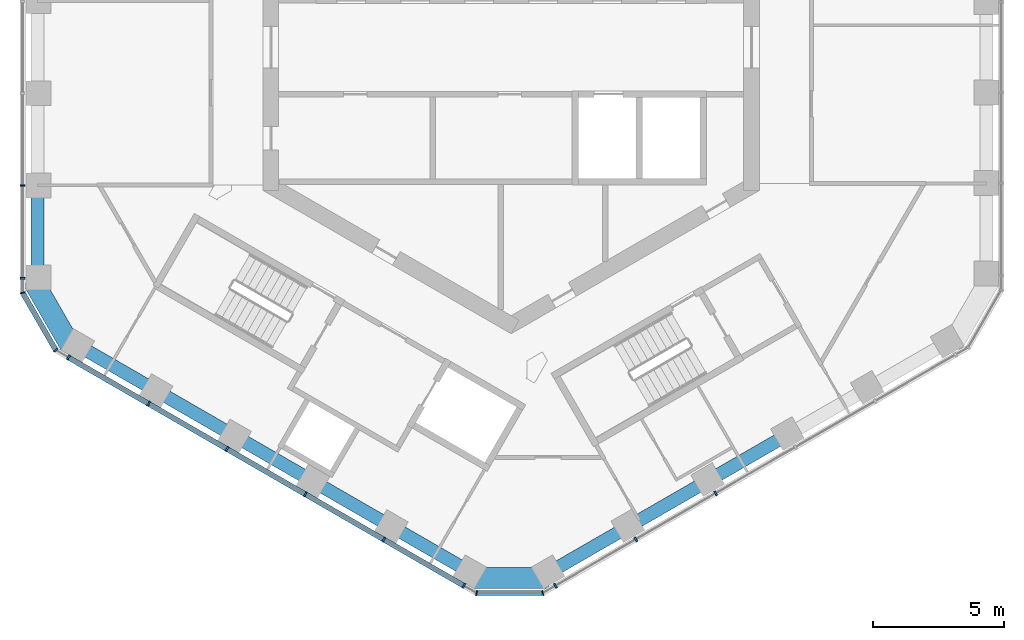
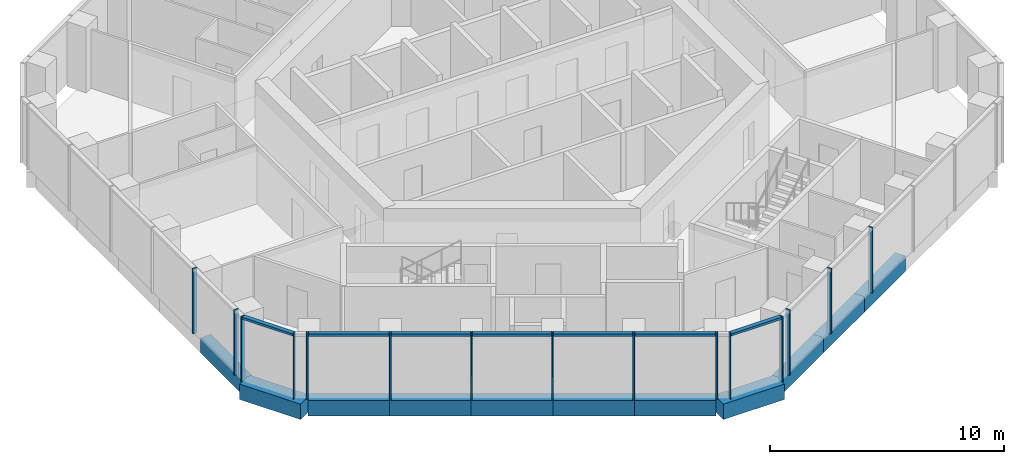
# One storey, part 2 of 19: 18 members, 11 beams, 5 elements without a shape of their own.
"""IFC4 building model written with IfcOpenShell, lengths in metres."""

from ifc_helpers import new_model, si_unit, direction, frame, origin, origin_2d, place, context, subcontext, project, spatial, rectangle, extrude, material, layer, layer_set, material_profile, profile_set, type_object, element, aggregate, save


model = new_model("IFC4")

# Units and contexts
model_context = context("Model", 3, precision=1e-05, world=origin(), true_north=direction((0.0, 1.0)))
body_context = subcontext(model_context, "Body", "Model", "MODEL_VIEW")
ifc_project = project(units=[si_unit("LENGTHUNIT", "METRE"), si_unit("AREAUNIT", "SQUARE_METRE"), si_unit("VOLUMEUNIT", "CUBIC_METRE"), si_unit("PLANEANGLEUNIT", "RADIAN"), si_unit("MASSUNIT", "GRAM", prefix="KILO")], contexts=[model_context])

# Site, building, storey
site_placement = place(None, origin())
site = spatial("IfcSite", under=ifc_project, at=site_placement, CompositionType="ELEMENT")
building_placement = place(site_placement, origin())
building = spatial("IfcBuilding", under=site, at=building_placement, Name="Ayvan Gate Tower", CompositionType="ELEMENT")
storey_placement = place(building_placement, frame((0.0, 0.0, 156.10009765625)))
storey = spatial("IfcBuildingStorey", under=building, at=storey_placement, Name="L41", CompositionType="ELEMENT", Elevation=156.10009765625)

# Beams
ifc_material_1 = material(Name="Concrete C40/50", Category="concrete")
ifc_material_profile_1 = material_profile(ifc_material_1, rectangle(XDim=0.800048828125, YDim=0.800048828125, at=origin_2d()), Name="RC 800x800")
ifc_profile_set_1 = profile_set([ifc_material_profile_1], Name="Concrete C40/50")
beam_type_1 = type_object("IfcBeamType", Name="Corner spandrel beam RC 800x800 C40/50", PredefinedType="BEAM", material=ifc_profile_set_1)
for number, where, z_axis, x_axis, name in (
    (1, (-18.330810546875, -8.904541015625, -0.75), (0.499990139034, -0.866031096941, 0.0), (0.866031096941, 0.499990139034, 0.0), "SB-L41-24"),
    (2, (-1.546142578125, -20.3271484375, -0.75), (1.0, 0.0, 0.0), (0.0, 1.0, 0.0), "SB-L41-30"),
):
    element("IfcBeam", number, at=place(storey_placement, frame(where, z_axis=z_axis, x_axis=x_axis)), inside=storey, type_object=beam_type_1, Name=name, PredefinedType="BEAM", context=body_context, shape_type="SweptSolid", body=[
        extrude(rectangle(XDim=0.800048828125, YDim=0.800048828125, at=origin_2d()), origin(), (0.0, 0.0, 1.0), 3.0),
    ])
ifc_material_profile_2 = material_profile(ifc_material_1, rectangle(XDim=0.5, YDim=0.800048828125, at=origin_2d()), Name="RC 500x800")
ifc_profile_set_2 = profile_set([ifc_material_profile_2], Name="Concrete C40/50")
beam_type_2 = type_object("IfcBeamType", Name="Spandrel beam RC 500x800 C40/50", PredefinedType="BEAM", material=ifc_profile_set_2)
beam_1_placement = place(storey_placement, frame((-18.140380859375, -5.27685546875, -0.75), z_axis=(0.0, -1.0, 0.0), x_axis=(1.0, 0.0, 0.0)))
element("IfcBeam", 3, at=beam_1_placement, inside=storey, type_object=beam_type_2, Name="SB-L41-23", PredefinedType="BEAM", context=body_context, shape_type="SweptSolid", body=[
    extrude(rectangle(XDim=0.5, YDim=0.800048828125, at=origin_2d()), origin(), (0.0, 0.0, 1.0), 3.517822265625),
])
for number, where, z_axis, x_axis, name in (
    (4, (-16.640380859375, -11.392822265625, -0.75), (0.866023465201, -0.500003357709, 0.0), (0.500003357709, 0.866023465201, 0.0), "SB-L41-25"),
    (5, (-13.62158203125, -13.1357421875, -0.75), (0.866023465201, -0.500003357709, 0.0), (0.500003357709, 0.866023465201, 0.0), "SB-L41-26"),
):
    element("IfcBeam", number, at=place(storey_placement, frame(where, z_axis=z_axis, x_axis=x_axis)), inside=storey, type_object=beam_type_2, Name=name, PredefinedType="BEAM", context=body_context, shape_type="SweptSolid", body=[
        extrude(rectangle(XDim=0.5, YDim=0.800048828125, at=origin_2d()), origin(), (0.0, 0.0, 1.0), 3.48583984375),
    ])
beam_2_placement = place(storey_placement, frame((-10.602783203125, -14.878662109375, -0.75), z_axis=(0.866053792276, -0.499950826467, 0.0), x_axis=(0.499950826467, 0.866053792276, 0.0)))
element("IfcBeam", 6, at=beam_2_placement, inside=storey, type_object=beam_type_2, Name="SB-L41-27", PredefinedType="BEAM", context=body_context, shape_type="SweptSolid", body=[
    extrude(rectangle(XDim=0.5, YDim=0.800048828125, at=origin_2d()), origin(), (0.0, 0.0, 1.0), 3.485595703125),
])
beam_3_placement = place(storey_placement, frame((-7.583984375, -16.621337890625, -0.75), z_axis=(0.866040973416, -0.499973031637, 0.0), x_axis=(0.499973031637, 0.866040973416, 0.0)))
element("IfcBeam", 7, at=beam_3_placement, inside=storey, type_object=beam_type_2, Name="SB-L41-28", PredefinedType="BEAM", context=body_context, shape_type="SweptSolid", body=[
    extrude(rectangle(XDim=0.5, YDim=0.800048828125, at=origin_2d()), origin(), (0.0, 0.0, 1.0), 3.486083984375),
])
beam_4_placement = place(storey_placement, frame((-4.56494140625, -18.3642578125, -0.75), z_axis=(0.866023465201, -0.500003357709, 0.0), x_axis=(0.500003357709, 0.866023465201, 0.0)))
element("IfcBeam", 8, at=beam_4_placement, inside=storey, type_object=beam_type_2, Name="SB-L41-29", PredefinedType="BEAM", context=body_context, shape_type="SweptSolid", body=[
    extrude(rectangle(XDim=0.5, YDim=0.800048828125, at=origin_2d()), origin(), (0.0, 0.0, 1.0), 3.48583984375),
])
beam_5_placement = place(storey_placement, frame((1.453857421875, -20.107177734375, -0.75), z_axis=(0.866030712881, 0.499990804263, 0.0), x_axis=(-0.499990804263, 0.866030712881, 0.0)))
element("IfcBeam", 9, at=beam_5_placement, inside=storey, type_object=beam_type_2, Name="SB-L41-31", PredefinedType="BEAM", context=body_context, shape_type="SweptSolid", body=[
    extrude(rectangle(XDim=0.5, YDim=0.800048828125, at=origin_2d()), origin(), (0.0, 0.0, 1.0), 3.517578125),
])
beam_6_placement = place(storey_placement, frame((4.500244140625, -18.348388671875, -0.75), z_axis=(0.866018011611, 0.500012803402, 0.0), x_axis=(-0.500012803402, 0.866018011611, 0.0)))
element("IfcBeam", 10, at=beam_6_placement, inside=storey, type_object=beam_type_2, Name="SB-L41-32", PredefinedType="BEAM", context=body_context, shape_type="SweptSolid", body=[
    extrude(rectangle(XDim=0.5, YDim=0.800048828125, at=origin_2d()), origin(), (0.0, 0.0, 1.0), 3.51806640625),
])
beam_7_placement = place(storey_placement, frame((7.546875, -16.58935546875, -0.75), z_axis=(0.866048061831, 0.499960753059, 0.0), x_axis=(-0.499960753059, 0.866048061831, 0.0)))
element("IfcBeam", 11, at=beam_7_placement, inside=storey, type_object=beam_type_2, Name="SB-L41-33", PredefinedType="BEAM", context=body_context, shape_type="SweptSolid", body=[
    extrude(rectangle(XDim=0.5, YDim=0.800048828125, at=origin_2d()), origin(), (0.0, 0.0, 1.0), 3.517822265625),
])

# Curtain wall, members
ifc_material_2 = material(Name="Bronze anodised aluminium", Category="aluminium")
ifc_layer_1 = layer(ifc_material_2, 0.199951171875)
ifc_layer_set_1 = layer_set([ifc_layer_1], Name="Bronze anodised aluminium")
curtain_wall_type_1 = type_object("IfcCurtainWallType", Name="Stick curtain wall CW-2", PredefinedType="NOTDEFINED", material=ifc_layer_set_1)
curtain_wall_1_placement = place(storey_placement, origin())
curtain_wall_1 = element("IfcCurtainWall", 12, at=curtain_wall_1_placement, inside=storey, type_object=curtain_wall_type_1, Name="Stick curtain wall CW-2 L41", PredefinedType="NOTDEFINED")
ifc_material_profile_3 = material_profile(ifc_material_2, rectangle(XDim=0.199951171875, YDim=0.070068359375, at=origin_2d()), Name="Stick curtain wall CW-2 mullion 200 x 70")
ifc_profile_set_3 = profile_set([ifc_material_profile_3], Name="Bronze anodised aluminium")
member_type_1 = type_object("IfcMemberType", Name="Stick curtain wall CW-2 mullion 200 x 70", PredefinedType="MULLION", material=ifc_profile_set_3)
member_1_placement = place(storey_placement, frame((-18.7021484375, -5.2919921875, 0.0), z_axis=(0.0, 0.0, 1.0), x_axis=(-1.0, 0.0, 0.0)))
member_1 = element("IfcMember", 13, at=member_1_placement, type_object=member_type_1, Name="CW-2 mullion 5", PredefinedType="MULLION", context=body_context, shape_type="SweptSolid", body=[
    extrude(rectangle(XDim=0.199951171875, YDim=0.070068359375, at=origin_2d()), origin(), (0.0, 0.0, 1.0), 3.39990234375),
])
member_2_placement = place(storey_placement, frame((-18.7021484375, -8.843017578125, 0.0), z_axis=(0.0, 0.0, 1.0), x_axis=(-1.0, 0.0, 0.0)))
member_2 = element("IfcMember", 14, at=member_2_placement, type_object=member_type_1, Name="CW-2 mullion 6", PredefinedType="MULLION", context=body_context, shape_type="SweptSolid", body=[
    extrude(rectangle(XDim=0.199951171875, YDim=0.070068359375, at=origin_2d()), origin(), (0.0, 0.0, 1.0), 3.39990234375),
])
aggregate(curtain_wall_1, [member_1, member_2])

curtain_wall_2_placement = place(storey_placement, origin())
curtain_wall_2 = element("IfcCurtainWall", 15, at=curtain_wall_2_placement, inside=storey, type_object=curtain_wall_type_1, Name="Stick curtain wall CW-2 L41", PredefinedType="NOTDEFINED")
member_3_placement = place(storey_placement, frame((-16.949951171875, -11.8779296875, 0.0), z_axis=(0.0, 0.0, 1.0), x_axis=(-0.5, -0.866025403784, 0.0)))
member_3 = element("IfcMember", 16, at=member_3_placement, type_object=member_type_1, Name="CW-2 mullion 1", PredefinedType="MULLION", context=body_context, shape_type="SweptSolid", body=[
    extrude(rectangle(XDim=0.199951171875, YDim=0.070068359375, at=origin_2d()), origin(), (0.0, 0.0, 1.0), 3.39990234375),
])
member_4_placement = place(storey_placement, frame((-13.88330078125, -13.6484375, 0.0), z_axis=(0.0, 0.0, 1.0), x_axis=(-0.5, -0.866025403784, 0.0)))
member_4 = element("IfcMember", 17, at=member_4_placement, type_object=member_type_1, Name="CW-2 mullion 2", PredefinedType="MULLION", context=body_context, shape_type="SweptSolid", body=[
    extrude(rectangle(XDim=0.199951171875, YDim=0.070068359375, at=origin_2d()), origin(), (0.0, 0.0, 1.0), 3.39990234375),
])
member_5_placement = place(storey_placement, frame((-10.881591796875, -15.38134765625, 0.0), z_axis=(0.0, 0.0, 1.0), x_axis=(-0.5, -0.866025403784, 0.0)))
member_5 = element("IfcMember", 18, at=member_5_placement, type_object=member_type_1, Name="CW-2 mullion 3", PredefinedType="MULLION", context=body_context, shape_type="SweptSolid", body=[
    extrude(rectangle(XDim=0.199951171875, YDim=0.070068359375, at=origin_2d()), origin(), (0.0, 0.0, 1.0), 3.39990234375),
])
member_6_placement = place(storey_placement, frame((-7.880126953125, -17.114501953125, 0.0), z_axis=(0.0, 0.0, 1.0), x_axis=(-0.5, -0.866025403784, 0.0)))
member_6 = element("IfcMember", 19, at=member_6_placement, type_object=member_type_1, Name="CW-2 mullion 4", PredefinedType="MULLION", context=body_context, shape_type="SweptSolid", body=[
    extrude(rectangle(XDim=0.199951171875, YDim=0.070068359375, at=origin_2d()), origin(), (0.0, 0.0, 1.0), 3.39990234375),
])
member_7_placement = place(storey_placement, frame((-4.87841796875, -18.847412109375, 0.0), z_axis=(0.0, 0.0, 1.0), x_axis=(-0.5, -0.866025403784, 0.0)))
member_7 = element("IfcMember", 20, at=member_7_placement, type_object=member_type_1, Name="CW-2 mullion 5", PredefinedType="MULLION", context=body_context, shape_type="SweptSolid", body=[
    extrude(rectangle(XDim=0.199951171875, YDim=0.070068359375, at=origin_2d()), origin(), (0.0, 0.0, 1.0), 3.39990234375),
])
member_8_placement = place(storey_placement, frame((-1.8115234375, -20.617919921875, 0.0), z_axis=(0.0, 0.0, 1.0), x_axis=(-0.5, -0.866025403784, 0.0)))
member_8 = element("IfcMember", 21, at=member_8_placement, type_object=member_type_1, Name="CW-2 mullion 6", PredefinedType="MULLION", context=body_context, shape_type="SweptSolid", body=[
    extrude(rectangle(XDim=0.199951171875, YDim=0.070068359375, at=origin_2d()), origin(), (0.0, 0.0, 1.0), 3.39990234375),
])

curtain_wall_3_placement = place(storey_placement, origin())
curtain_wall_3 = element("IfcCurtainWall", 22, at=curtain_wall_3_placement, inside=storey, type_object=curtain_wall_type_1, Name="Stick curtain wall CW-2 L41", PredefinedType="NOTDEFINED")
member_9_placement = place(storey_placement, frame((1.69287109375, -20.617919921875, 0.0), z_axis=(0.0, 0.0, 1.0), x_axis=(0.5, -0.866025403784, 0.0)))
member_9 = element("IfcMember", 23, at=member_9_placement, type_object=member_type_1, Name="CW-2 mullion 1", PredefinedType="MULLION", context=body_context, shape_type="SweptSolid", body=[
    extrude(rectangle(XDim=0.199951171875, YDim=0.070068359375, at=origin_2d()), origin(), (0.0, 0.0, 1.0), 3.39990234375),
])
member_10_placement = place(storey_placement, frame((4.76806640625, -18.842529296875, 0.0), z_axis=(0.0, 0.0, 1.0), x_axis=(0.5, -0.866025403784, 0.0)))
member_10 = element("IfcMember", 24, at=member_10_placement, type_object=member_type_1, Name="CW-2 mullion 2", PredefinedType="MULLION", context=body_context, shape_type="SweptSolid", body=[
    extrude(rectangle(XDim=0.199951171875, YDim=0.070068359375, at=origin_2d()), origin(), (0.0, 0.0, 1.0), 3.39990234375),
])
member_11_placement = place(storey_placement, frame((7.823486328125, -17.07861328125, 0.0), z_axis=(0.0, 0.0, 1.0), x_axis=(0.5, -0.866025403784, 0.0)))
member_11 = element("IfcMember", 25, at=member_11_placement, type_object=member_type_1, Name="CW-2 mullion 3", PredefinedType="MULLION", context=body_context, shape_type="SweptSolid", body=[
    extrude(rectangle(XDim=0.199951171875, YDim=0.070068359375, at=origin_2d()), origin(), (0.0, 0.0, 1.0), 3.39990234375),
])
aggregate(curtain_wall_3, [member_9, member_10, member_11])

# Member
ifc_material_profile_4 = material_profile(ifc_material_2, rectangle(XDim=0.199951171875, YDim=0.1201171875, at=origin_2d()), Name="Stick curtain wall CW-2 transom 200 x 120")
ifc_profile_set_4 = profile_set([ifc_material_profile_4], Name="Bronze anodised aluminium")
member_type_2 = type_object("IfcMemberType", Name="Stick curtain wall CW-2 transom 200 x 120", PredefinedType="USERDEFINED", material=ifc_profile_set_4)
member_12_placement = place(storey_placement, frame((-16.949951171875, -11.8779296875, 3.33984375), z_axis=(0.866029988789, -0.499992058455, 0.0), x_axis=(0.499992058455, 0.866029988789, 0.0)))
member_12 = element("IfcMember", 26, at=member_12_placement, type_object=member_type_2, Name="CW-2 transom 1", ObjectType="TRANSOM", PredefinedType="USERDEFINED", context=body_context, shape_type="SweptSolid", body=[
    extrude(rectangle(XDim=0.199951171875, YDim=0.1201171875, at=origin_2d()), origin(), (0.0, 0.0, 1.0), 17.480224609375),
])

aggregate(curtain_wall_2, [member_3, member_4, member_5, member_6, member_7, member_8, member_12])

# Curtain wall, members
ifc_layer_2 = layer(ifc_material_2, 0.199951171875)
ifc_layer_set_2 = layer_set([ifc_layer_2], Name="Bronze anodised aluminium")
curtain_wall_type_2 = type_object("IfcCurtainWallType", Name="Stick curtain wall CW-6", PredefinedType="NOTDEFINED", material=ifc_layer_set_2)
curtain_wall_4_placement = place(storey_placement, origin())
curtain_wall_4 = element("IfcCurtainWall", 27, at=curtain_wall_4_placement, inside=storey, type_object=curtain_wall_type_2, Name="Stick curtain wall CW-6 L41", PredefinedType="NOTDEFINED")
ifc_material_profile_5 = material_profile(ifc_material_2, rectangle(XDim=0.199951171875, YDim=0.050048828125, at=origin_2d()), Name="Stick curtain wall CW-6 mullion 200 x 50")
ifc_profile_set_5 = profile_set([ifc_material_profile_5], Name="Bronze anodised aluminium")
member_type_3 = type_object("IfcMemberType", Name="Stick curtain wall CW-6 mullion 200 x 50", PredefinedType="MULLION", material=ifc_profile_set_5)
member_13_placement = place(storey_placement, frame((-18.7021484375, -9.40283203125, 0.0), z_axis=(0.0, 0.0, 1.0), x_axis=(-0.965925826289, -0.258819045103, 0.0)))
member_13 = element("IfcMember", 28, at=member_13_placement, type_object=member_type_3, Name="CW-6 mullion 2", PredefinedType="MULLION", context=body_context, shape_type="SweptSolid", body=[
    extrude(rectangle(XDim=0.199951171875, YDim=0.050048828125, at=origin_2d()), origin(), (0.0, 0.0, 1.0), 3.39990234375),
])
member_14_placement = place(storey_placement, frame((-17.434814453125, -11.597900390625, 0.0), z_axis=(0.0, 0.0, 1.0), x_axis=(-0.707106781187, -0.707106781187, 0.0)))
member_14 = element("IfcMember", 29, at=member_14_placement, type_object=member_type_3, Name="CW-6 mullion 3", PredefinedType="MULLION", context=body_context, shape_type="SweptSolid", body=[
    extrude(rectangle(XDim=0.199951171875, YDim=0.050048828125, at=origin_2d()), origin(), (0.0, 0.0, 1.0), 3.39990234375),
])

curtain_wall_5_placement = place(storey_placement, origin())
curtain_wall_5 = element("IfcCurtainWall", 30, at=curtain_wall_5_placement, inside=storey, type_object=curtain_wall_type_2, Name="Stick curtain wall CW-6 L41", PredefinedType="NOTDEFINED")
member_15_placement = place(storey_placement, frame((-1.32666015625, -20.89794921875, 0.0), z_axis=(0.0, 0.0, 1.0), x_axis=(-0.258819045103, -0.965925826289, 0.0)))
member_15 = element("IfcMember", 31, at=member_15_placement, type_object=member_type_3, Name="CW-6 mullion 2", PredefinedType="MULLION", context=body_context, shape_type="SweptSolid", body=[
    extrude(rectangle(XDim=0.199951171875, YDim=0.050048828125, at=origin_2d()), origin(), (0.0, 0.0, 1.0), 3.39990234375),
])
member_16_placement = place(storey_placement, frame((1.2080078125, -20.89794921875, 0.0), z_axis=(0.0, 0.0, 1.0), x_axis=(0.258819045103, -0.965925826289, 0.0)))
member_16 = element("IfcMember", 32, at=member_16_placement, type_object=member_type_3, Name="CW-6 mullion 3", PredefinedType="MULLION", context=body_context, shape_type="SweptSolid", body=[
    extrude(rectangle(XDim=0.199951171875, YDim=0.050048828125, at=origin_2d()), origin(), (0.0, 0.0, 1.0), 3.39990234375),
])

# Member
ifc_material_profile_6 = material_profile(ifc_material_2, rectangle(XDim=0.199951171875, YDim=0.1201171875, at=origin_2d()), Name="Stick curtain wall CW-6 transom 200 x 120")
ifc_profile_set_6 = profile_set([ifc_material_profile_6], Name="Bronze anodised aluminium")
member_type_4 = type_object("IfcMemberType", Name="Stick curtain wall CW-6 transom 200 x 120", PredefinedType="USERDEFINED", material=ifc_profile_set_6)
member_17_placement = place(storey_placement, frame((-18.689697265625, -9.424560546875, 3.33984375), z_axis=(0.499986149909, -0.86603339999, 0.0), x_axis=(0.86603339999, 0.499986149909, 0.0)))
member_17 = element("IfcMember", 33, at=member_17_placement, type_object=member_type_4, Name="CW-6 transom 2", ObjectType="TRANSOM", PredefinedType="USERDEFINED", context=body_context, shape_type="SweptSolid", body=[
    extrude(rectangle(XDim=0.199951171875, YDim=0.1201171875, at=origin_2d()), origin(), (0.0, 0.0, 1.0), 2.484375),
])

aggregate(curtain_wall_4, [member_13, member_14, member_17])

member_18_placement = place(storey_placement, frame((-1.301513671875, -20.89794921875, 3.33984375), z_axis=(1.0, 0.0, 0.0), x_axis=(0.0, 1.0, 0.0)))
member_18 = element("IfcMember", 34, at=member_18_placement, type_object=member_type_4, Name="CW-6 transom 2", ObjectType="TRANSOM", PredefinedType="USERDEFINED", context=body_context, shape_type="SweptSolid", body=[
    extrude(rectangle(XDim=0.199951171875, YDim=0.1201171875, at=origin_2d()), origin(), (0.0, 0.0, 1.0), 2.484375),
])

aggregate(curtain_wall_5, [member_15, member_16, member_18])

save(model, "model.ifc")
